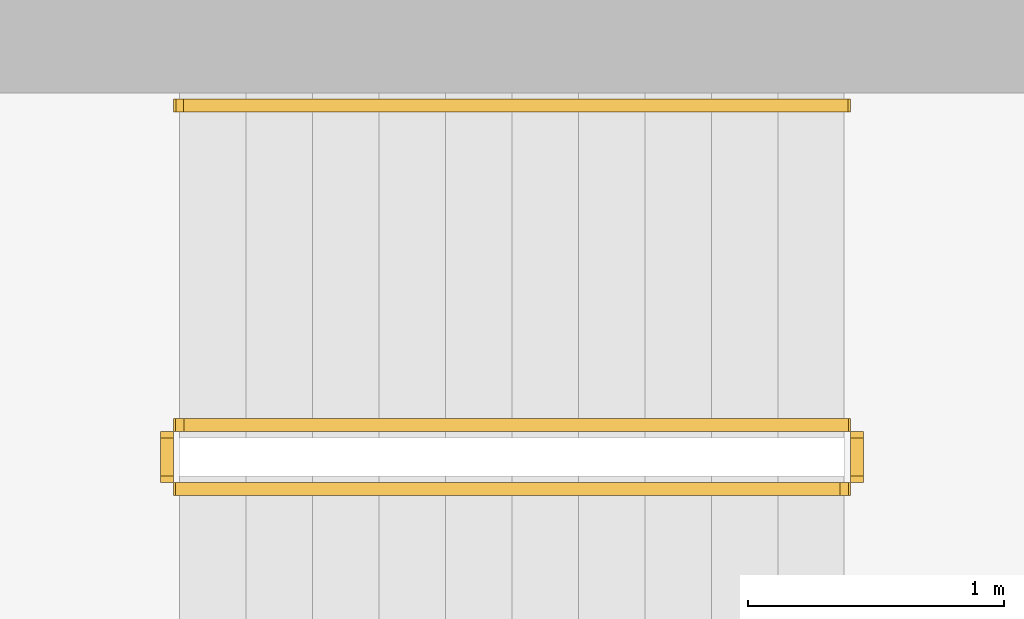
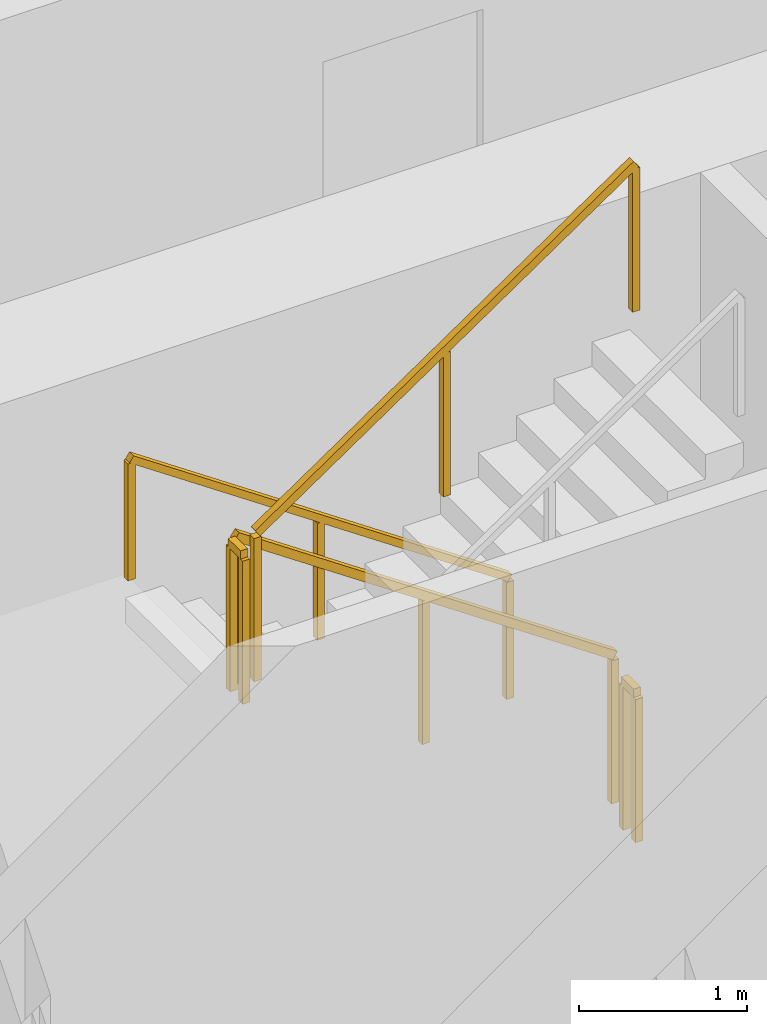
# One storey, part 14 of 15: 5 railings.
"""IFC4 building model written with IfcOpenShell, lengths in metres."""

from ifc_helpers import new_model, si_unit, direction, frame, origin, origin_2d, place, context, subcontext, project, spatial, rectangle, extrude, material, type_object, element, save


model = new_model("IFC4")

# Units and contexts
model_context = context("Model", 3, precision=1e-05, world=origin(), true_north=direction((0.0, 1.0)))
body_context = subcontext(model_context, "Body", "Model", "MODEL_VIEW")
ifc_project = project(units=[si_unit("LENGTHUNIT", "METRE"), si_unit("AREAUNIT", "SQUARE_METRE"), si_unit("VOLUMEUNIT", "CUBIC_METRE"), si_unit("PLANEANGLEUNIT", "RADIAN"), si_unit("MASSUNIT", "GRAM", prefix="KILO")], contexts=[model_context])

# Site, building, storey
site_placement = place(None, origin())
site = spatial("IfcSite", under=ifc_project, at=site_placement, CompositionType="ELEMENT")
building_placement = place(site_placement, origin())
building = spatial("IfcBuilding", under=site, at=building_placement, Name="Khepri Terraces", CompositionType="ELEMENT")
storey_placement = place(building_placement, frame((0.0, 0.0, 98.699951171875)))
storey = spatial("IfcBuildingStorey", under=building, at=storey_placement, Name="L23", CompositionType="ELEMENT", Elevation=98.699951171875)

# Railings
ifc_material = material(Name="Stainless steel 316", Category="steel")
railing_type_1 = type_object("IfcRailingType", Name="RL-CORE-GUARD", PredefinedType="GUARDRAIL", material=ifc_material)
railing_1_placement = place(storey_placement, frame((-0.25, 8.800048828125, 0.17724609375)))
element("IfcRailing", 1, at=railing_1_placement, inside=storey, type_object=railing_type_1, Name="L23 ST-3 stair guard 1", PredefinedType="GUARDRAIL", context=body_context, shape_type="SweptSolid", body=[
    extrude(rectangle(XDim=0.050048828125, YDim=0.06005859375, at=origin_2d()), frame((0.0, 0.0, 1.070068359375), z_axis=(-0.826240473404, 0.0, 0.563317565952), x_axis=(0.0, -1.0, 0.0)), (0.0, 0.0, 1.0), 3.14697265625),
    extrude(rectangle(XDim=0.050048828125, YDim=0.050048828125, at=origin_2d()), origin(), (0.0, 0.0, 1.0), 1.0400390625),
    extrude(rectangle(XDim=0.050048828125, YDim=0.050048828125, at=origin_2d()), frame((-1.300048828125, 0.0, 0.88623046875)), (0.0, 0.0, 1.0), 1.0400390625),
    extrude(rectangle(XDim=0.050048828125, YDim=0.050048828125, at=origin_2d()), frame((-2.60009765625, 0.0, 1.772705078125)), (0.0, 0.0, 1.0), 1.0400390625),
])
railing_2_placement = place(storey_placement, frame((-2.89990234375, 8.75, 1.949951171875)))
element("IfcRailing", 2, at=railing_2_placement, inside=storey, type_object=railing_type_1, Name="L23 ST-3 stair guard 2", PredefinedType="GUARDRAIL", context=body_context, shape_type="SweptSolid", body=[
    extrude(rectangle(XDim=0.050048828125, YDim=0.06005859375, at=origin_2d()), frame((0.0, 0.0, 1.070068359375), z_axis=(0.0, -1.0, 0.0), x_axis=(1.0, 0.0, 0.0)), (0.0, 0.0, 1.0), 0.14990234375),
    extrude(rectangle(XDim=0.050048828125, YDim=0.050048828125, at=origin_2d()), origin(), (0.0, 0.0, 1.0), 1.0400390625),
    extrude(rectangle(XDim=0.050048828125, YDim=0.050048828125, at=origin_2d()), frame((0.0, -0.14990234375, 0.0)), (0.0, 0.0, 1.0), 1.0400390625),
])
railing_3_placement = place(storey_placement, frame((-2.85009765625, 8.550048828125, 2.12744140625)))
element("IfcRailing", 3, at=railing_3_placement, inside=storey, type_object=railing_type_1, Name="L23 ST-3 stair guard 3", PredefinedType="GUARDRAIL", context=body_context, shape_type="SweptSolid", body=[
    extrude(rectangle(XDim=0.050048828125, YDim=0.06005859375, at=origin_2d()), frame((0.0, 0.0, 1.070068359375), z_axis=(0.826240473404, 0.0, 0.563317565952), x_axis=(0.0, 1.0, 0.0)), (0.0, 0.0, 1.0), 3.14697265625),
    extrude(rectangle(XDim=0.050048828125, YDim=0.050048828125, at=origin_2d()), origin(), (0.0, 0.0, 1.0), 1.0400390625),
    extrude(rectangle(XDim=0.050048828125, YDim=0.050048828125, at=origin_2d()), frame((1.300048828125, 0.0, 0.88623046875)), (0.0, 0.0, 1.0), 1.0400390625),
    extrude(rectangle(XDim=0.050048828125, YDim=0.050048828125, at=origin_2d()), frame((2.60009765625, 0.0, 1.772705078125)), (0.0, 0.0, 1.0), 1.0400390625),
])
railing_4_placement = place(storey_placement, frame((-0.199951171875, 8.75, 0.0)))
element("IfcRailing", 4, at=railing_4_placement, inside=storey, type_object=railing_type_1, Name="L23 ST-3 stair guard 4", PredefinedType="GUARDRAIL", context=body_context, shape_type="SweptSolid", body=[
    extrude(rectangle(XDim=0.050048828125, YDim=0.06005859375, at=origin_2d()), frame((0.0, 0.0, 1.070068359375), z_axis=(0.0, -1.0, 0.0), x_axis=(1.0, 0.0, 0.0)), (0.0, 0.0, 1.0), 0.14990234375),
    extrude(rectangle(XDim=0.050048828125, YDim=0.050048828125, at=origin_2d()), origin(), (0.0, 0.0, 1.0), 1.0400390625),
    extrude(rectangle(XDim=0.050048828125, YDim=0.050048828125, at=origin_2d()), frame((0.0, -0.14990234375, 0.0)), (0.0, 0.0, 1.0), 1.0400390625),
])
railing_type_2 = type_object("IfcRailingType", Name="RL-CORE-HANDRAIL", PredefinedType="HANDRAIL", material=ifc_material)
railing_5_placement = place(storey_placement, frame((-0.25, 10.050048828125, 0.17724609375)))
element("IfcRailing", 5, at=railing_5_placement, inside=storey, type_object=railing_type_2, Name="L23 ST-3 stair handrail 1", PredefinedType="HANDRAIL", context=body_context, shape_type="SweptSolid", body=[
    extrude(rectangle(XDim=0.050048828125, YDim=0.050048828125, at=origin_2d()), frame((0.0, 0.0, 0.875), z_axis=(-0.826240473404, 0.0, 0.563317565952), x_axis=(0.0, -1.0, 0.0)), (0.0, 0.0, 1.0), 3.14697265625),
    extrude(rectangle(XDim=0.050048828125, YDim=0.050048828125, at=origin_2d()), origin(), (0.0, 0.0, 1.0), 0.849853515625),
    extrude(rectangle(XDim=0.050048828125, YDim=0.050048828125, at=origin_2d()), frame((-1.300048828125, 0.0, 0.88623046875)), (0.0, 0.0, 1.0), 0.849853515625),
    extrude(rectangle(XDim=0.050048828125, YDim=0.050048828125, at=origin_2d()), frame((-2.60009765625, 0.0, 1.772705078125)), (0.0, 0.0, 1.0), 0.849853515625),
])

save(model, "model.ifc")
